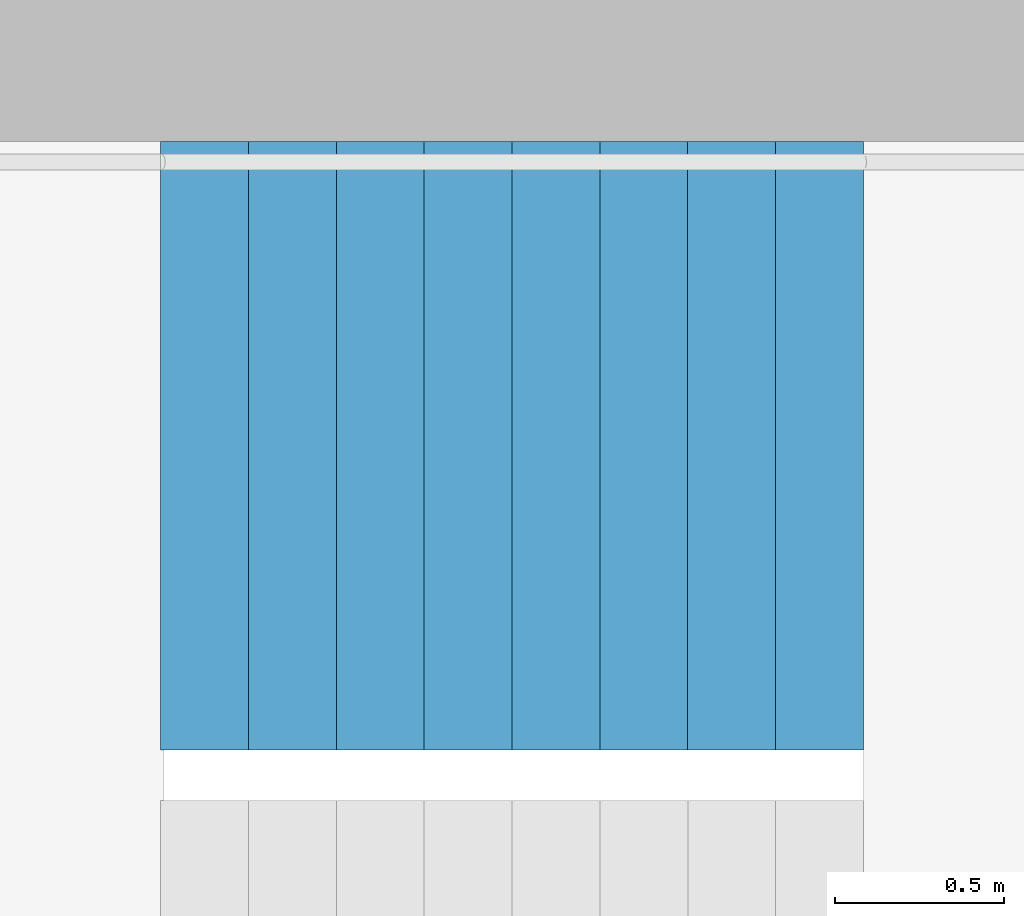
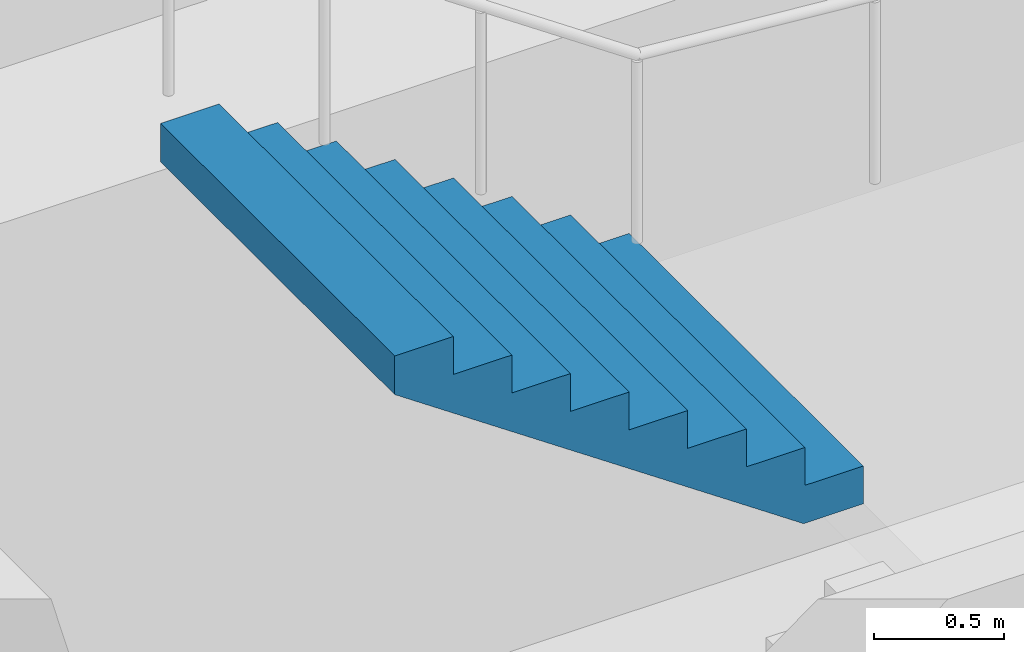
# One storey, part 23 of 28: 1 stair flight, 1 element without a shape of its own.
"""IFC4 building model written with IfcOpenShell, lengths in metres."""

from ifc_helpers import new_model, si_unit, direction, frame, origin, place, context, subcontext, project, spatial, triangles, material, type_object, element, aggregate, save


model = new_model("IFC4")

# Units and contexts
model_context = context("Model", 3, precision=1e-05, world=origin(), true_north=direction((0.0, 1.0)))
body_context = subcontext(model_context, "Body", "Model", "MODEL_VIEW")
ifc_project = project(units=[si_unit("LENGTHUNIT", "METRE"), si_unit("AREAUNIT", "SQUARE_METRE"), si_unit("VOLUMEUNIT", "CUBIC_METRE"), si_unit("PLANEANGLEUNIT", "RADIAN"), si_unit("MASSUNIT", "GRAM", prefix="KILO")], contexts=[model_context])

# Site, building, storey
site_placement = place(None, origin())
site = spatial("IfcSite", under=ifc_project, at=site_placement, CompositionType="ELEMENT")
building_placement = place(site_placement, origin())
building = spatial("IfcBuilding", under=site, at=building_placement, Name="Hakoniwa Tower and Hamabe Station Hall", CompositionType="ELEMENT")
storey_placement = place(building_placement, frame((0.0, 0.0, 35.800048828125)))
storey = spatial("IfcBuildingStorey", under=building, at=storey_placement, Name="L09", CompositionType="ELEMENT", Elevation=35.800048828125)

# Stair, stair flight
ifc_material_1 = material(Name="Concrete C40", Category="concrete")
stair_type = type_object("IfcStairType", Name="ESCAPE STAIR 1800", PredefinedType="HALF_TURN_STAIR", material=ifc_material_1)
stair_placement = place(storey_placement, origin())
stair = element("IfcStair", 1, at=stair_placement, inside=storey, type_object=stair_type, Name="Escape stair ST-1 L09", PredefinedType="HALF_TURN_STAIR")
ifc_material_2 = material(Name="Concrete C40", Category="concrete")
stair_flight_type = type_object("IfcStairFlightType", Name="STAIR FLIGHT 1800", PredefinedType="STRAIGHT", material=ifc_material_2)
stair_flight_placement = place(storey_placement, frame((-22.320068359375, 6.60009765625, 1.599853515625), z_axis=(0.0, 0.0, 1.0), x_axis=(-1.0, 0.0, 0.0)))
stair_flight = element("IfcStairFlight", 2, at=stair_flight_placement, type_object=stair_flight_type, Name="ST-1 flight 2", NumberOfRisers=9, NumberOfTreads=8, PredefinedType="STRAIGHT", RiserHeight=0.177777778, TreadLength=0.26, context=body_context, shape_type="Tessellation", body=[
    triangles([(0.0, 0.89990234375, 0.0), (0.260009765625, 0.89990234375, 0.0), (0.265625, 0.89990234375, 0.0), (0.52001953125, 0.89990234375, 0.174072265625), (0.780029296875, 0.89990234375, 0.351806640625), (1.0400390625, 0.89990234375, 0.529541015625), (1.300048828125, 0.89990234375, 0.707275390625), (1.56005859375, 0.89990234375, 0.885009765625), (1.820068359375, 0.89990234375, 1.062744140625), (2.080078125, 0.89990234375, 1.24072265625), (2.080078125, 0.89990234375, 1.422119140625), (1.820068359375, 0.89990234375, 1.422119140625), (1.820068359375, 0.89990234375, 1.244384765625), (1.56005859375, 0.89990234375, 1.244384765625), (1.56005859375, 0.89990234375, 1.066650390625), (1.300048828125, 0.89990234375, 1.066650390625), (1.300048828125, 0.89990234375, 0.888916015625), (1.0400390625, 0.89990234375, 0.888916015625), (1.0400390625, 0.89990234375, 0.711181640625), (0.780029296875, 0.89990234375, 0.711181640625), (0.780029296875, 0.89990234375, 0.533447265625), (0.52001953125, 0.89990234375, 0.533447265625), (0.52001953125, 0.89990234375, 0.35546875), (0.265625, 0.89990234375, 0.35546875), (0.260009765625, 0.89990234375, 0.35546875), (0.260009765625, 0.89990234375, 0.177734375), (0.0, 0.89990234375, 0.177734375), (0.0, 0.06005859375, 0.0), (0.260009765625, 0.06005859375, 0.0), (0.265625, 0.06005859375, 0.0), (0.52001953125, 0.06005859375, 0.174072265625), (0.780029296875, 0.06005859375, 0.351806640625), (1.0400390625, 0.06005859375, 0.529541015625), (1.300048828125, 0.06005859375, 0.707275390625), (1.56005859375, 0.06005859375, 0.885009765625), (1.820068359375, 0.06005859375, 1.062744140625), (2.080078125, 0.06005859375, 1.24072265625), (2.080078125, 0.06005859375, 1.422119140625), (1.820068359375, 0.06005859375, 1.422119140625), (1.820068359375, 0.06005859375, 1.244384765625), (1.56005859375, 0.06005859375, 1.244384765625), (1.56005859375, 0.06005859375, 1.066650390625), (1.300048828125, 0.06005859375, 1.066650390625), (1.300048828125, 0.06005859375, 0.888916015625), (1.0400390625, 0.06005859375, 0.888916015625), (1.0400390625, 0.06005859375, 0.711181640625), (0.780029296875, 0.06005859375, 0.711181640625), (0.780029296875, 0.06005859375, 0.533447265625), (0.52001953125, 0.06005859375, 0.533447265625), (0.52001953125, 0.06005859375, 0.35546875), (0.265625, 0.06005859375, 0.35546875), (0.260009765625, 0.06005859375, 0.35546875), (0.260009765625, 0.06005859375, 0.177734375), (0.0, 0.06005859375, 0.177734375), (0.0, 0.04296875, 0.0), (0.260009765625, 0.04296875, 0.0), (0.265625, 0.04296875, 0.0), (0.52001953125, 0.04296875, 0.174072265625), (0.780029296875, 0.04296875, 0.351806640625), (1.0400390625, 0.04296875, 0.529541015625), (1.300048828125, 0.04296875, 0.707275390625), (1.56005859375, 0.04296875, 0.885009765625), (1.820068359375, 0.04296875, 1.062744140625), (2.080078125, 0.04296875, 1.24072265625), (2.080078125, 0.04296875, 1.422119140625), (1.820068359375, 0.04296875, 1.422119140625), (1.820068359375, 0.04296875, 1.244384765625), (1.56005859375, 0.04296875, 1.244384765625), (1.56005859375, 0.04296875, 1.066650390625), (1.300048828125, 0.04296875, 1.066650390625), (1.300048828125, 0.04296875, 0.888916015625), (1.0400390625, 0.04296875, 0.888916015625), (1.0400390625, 0.04296875, 0.711181640625), (0.780029296875, 0.04296875, 0.711181640625), (0.780029296875, 0.04296875, 0.533447265625), (0.52001953125, 0.04296875, 0.533447265625), (0.52001953125, 0.04296875, 0.35546875), (0.265625, 0.04296875, 0.35546875), (0.260009765625, 0.04296875, 0.35546875), (0.260009765625, 0.04296875, 0.177734375), (0.0, 0.04296875, 0.177734375), (0.0, 0.025634765625, 0.0), (0.260009765625, 0.025634765625, 0.0), (0.265625, 0.025634765625, 0.0), (0.52001953125, 0.025634765625, 0.174072265625), (0.780029296875, 0.025634765625, 0.351806640625), (1.0400390625, 0.025634765625, 0.529541015625), (1.300048828125, 0.025634765625, 0.707275390625), (1.56005859375, 0.025634765625, 0.885009765625), (1.820068359375, 0.025634765625, 1.062744140625), (2.080078125, 0.025634765625, 1.24072265625), (2.080078125, 0.025634765625, 1.422119140625), (1.820068359375, 0.025634765625, 1.422119140625), (1.820068359375, 0.025634765625, 1.244384765625), (1.56005859375, 0.025634765625, 1.244384765625), (1.56005859375, 0.025634765625, 1.066650390625), (1.300048828125, 0.025634765625, 1.066650390625), (1.300048828125, 0.025634765625, 0.888916015625), (1.0400390625, 0.025634765625, 0.888916015625), (1.0400390625, 0.025634765625, 0.711181640625), (0.780029296875, 0.025634765625, 0.711181640625), (0.780029296875, 0.025634765625, 0.533447265625), (0.52001953125, 0.025634765625, 0.533447265625), (0.52001953125, 0.025634765625, 0.35546875), (0.265625, 0.025634765625, 0.35546875), (0.260009765625, 0.025634765625, 0.35546875), (0.260009765625, 0.025634765625, 0.177734375), (0.0, 0.025634765625, 0.177734375), (0.0, 0.008544921875, 0.0), (0.260009765625, 0.008544921875, 0.0), (0.265625, 0.008544921875, 0.0), (0.52001953125, 0.008544921875, 0.174072265625), (0.780029296875, 0.008544921875, 0.351806640625), (1.0400390625, 0.008544921875, 0.529541015625), (1.300048828125, 0.008544921875, 0.707275390625), (1.56005859375, 0.008544921875, 0.885009765625), (1.820068359375, 0.008544921875, 1.062744140625), (2.080078125, 0.008544921875, 1.24072265625), (2.080078125, 0.008544921875, 1.422119140625), (1.820068359375, 0.008544921875, 1.422119140625), (1.820068359375, 0.008544921875, 1.244384765625), (1.56005859375, 0.008544921875, 1.244384765625), (1.56005859375, 0.008544921875, 1.066650390625), (1.300048828125, 0.008544921875, 1.066650390625), (1.300048828125, 0.008544921875, 0.888916015625), (1.0400390625, 0.008544921875, 0.888916015625), (1.0400390625, 0.008544921875, 0.711181640625), (0.780029296875, 0.008544921875, 0.711181640625), (0.780029296875, 0.008544921875, 0.533447265625), (0.52001953125, 0.008544921875, 0.533447265625), (0.52001953125, 0.008544921875, 0.35546875), (0.265625, 0.008544921875, 0.35546875), (0.260009765625, 0.008544921875, 0.35546875), (0.260009765625, 0.008544921875, 0.177734375), (0.0, 0.008544921875, 0.177734375), (0.0, -0.008544921875, 0.0), (0.260009765625, -0.008544921875, 0.0), (0.265625, -0.008544921875, 0.0), (0.52001953125, -0.008544921875, 0.174072265625), (0.780029296875, -0.008544921875, 0.351806640625), (1.0400390625, -0.008544921875, 0.529541015625), (1.300048828125, -0.008544921875, 0.707275390625), (1.56005859375, -0.008544921875, 0.885009765625), (1.820068359375, -0.008544921875, 1.062744140625), (2.080078125, -0.008544921875, 1.24072265625), (2.080078125, -0.008544921875, 1.422119140625), (1.820068359375, -0.008544921875, 1.422119140625), (1.820068359375, -0.008544921875, 1.244384765625), (1.56005859375, -0.008544921875, 1.244384765625), (1.56005859375, -0.008544921875, 1.066650390625), (1.300048828125, -0.008544921875, 1.066650390625), (1.300048828125, -0.008544921875, 0.888916015625), (1.0400390625, -0.008544921875, 0.888916015625), (1.0400390625, -0.008544921875, 0.711181640625), (0.780029296875, -0.008544921875, 0.711181640625), (0.780029296875, -0.008544921875, 0.533447265625), (0.52001953125, -0.008544921875, 0.533447265625), (0.52001953125, -0.008544921875, 0.35546875), (0.265625, -0.008544921875, 0.35546875), (0.260009765625, -0.008544921875, 0.35546875), (0.260009765625, -0.008544921875, 0.177734375), (0.0, -0.008544921875, 0.177734375), (0.0, -0.025634765625, 0.0), (0.260009765625, -0.025634765625, 0.0), (0.265625, -0.025634765625, 0.0), (0.52001953125, -0.025634765625, 0.174072265625), (0.780029296875, -0.025634765625, 0.351806640625), (1.0400390625, -0.025634765625, 0.529541015625), (1.300048828125, -0.025634765625, 0.707275390625), (1.56005859375, -0.025634765625, 0.885009765625), (1.820068359375, -0.025634765625, 1.062744140625), (2.080078125, -0.025634765625, 1.24072265625), (2.080078125, -0.025634765625, 1.422119140625), (1.820068359375, -0.025634765625, 1.422119140625), (1.820068359375, -0.025634765625, 1.244384765625), (1.56005859375, -0.025634765625, 1.244384765625), (1.56005859375, -0.025634765625, 1.066650390625), (1.300048828125, -0.025634765625, 1.066650390625), (1.300048828125, -0.025634765625, 0.888916015625), (1.0400390625, -0.025634765625, 0.888916015625), (1.0400390625, -0.025634765625, 0.711181640625), (0.780029296875, -0.025634765625, 0.711181640625), (0.780029296875, -0.025634765625, 0.533447265625), (0.52001953125, -0.025634765625, 0.533447265625), (0.52001953125, -0.025634765625, 0.35546875), (0.265625, -0.025634765625, 0.35546875), (0.260009765625, -0.025634765625, 0.35546875), (0.260009765625, -0.025634765625, 0.177734375), (0.0, -0.025634765625, 0.177734375), (0.0, -0.04296875, 0.0), (0.260009765625, -0.04296875, 0.0), (0.265625, -0.04296875, 0.0), (0.52001953125, -0.04296875, 0.174072265625), (0.780029296875, -0.04296875, 0.351806640625), (1.0400390625, -0.04296875, 0.529541015625), (1.300048828125, -0.04296875, 0.707275390625), (1.56005859375, -0.04296875, 0.885009765625), (1.820068359375, -0.04296875, 1.062744140625), (2.080078125, -0.04296875, 1.24072265625), (2.080078125, -0.04296875, 1.422119140625), (1.820068359375, -0.04296875, 1.422119140625), (1.820068359375, -0.04296875, 1.244384765625), (1.56005859375, -0.04296875, 1.244384765625), (1.56005859375, -0.04296875, 1.066650390625), (1.300048828125, -0.04296875, 1.066650390625), (1.300048828125, -0.04296875, 0.888916015625), (1.0400390625, -0.04296875, 0.888916015625), (1.0400390625, -0.04296875, 0.711181640625), (0.780029296875, -0.04296875, 0.711181640625), (0.780029296875, -0.04296875, 0.533447265625), (0.52001953125, -0.04296875, 0.533447265625), (0.52001953125, -0.04296875, 0.35546875), (0.265625, -0.04296875, 0.35546875), (0.260009765625, -0.04296875, 0.35546875), (0.260009765625, -0.04296875, 0.177734375), (0.0, -0.04296875, 0.177734375), (0.0, -0.06005859375, 0.0), (0.260009765625, -0.06005859375, 0.0), (0.265625, -0.06005859375, 0.0), (0.52001953125, -0.06005859375, 0.174072265625), (0.780029296875, -0.06005859375, 0.351806640625), (1.0400390625, -0.06005859375, 0.529541015625), (1.300048828125, -0.06005859375, 0.707275390625), (1.56005859375, -0.06005859375, 0.885009765625), (1.820068359375, -0.06005859375, 1.062744140625), (2.080078125, -0.06005859375, 1.24072265625), (2.080078125, -0.06005859375, 1.422119140625), (1.820068359375, -0.06005859375, 1.422119140625), (1.820068359375, -0.06005859375, 1.244384765625), (1.56005859375, -0.06005859375, 1.244384765625), (1.56005859375, -0.06005859375, 1.066650390625), (1.300048828125, -0.06005859375, 1.066650390625), (1.300048828125, -0.06005859375, 0.888916015625), (1.0400390625, -0.06005859375, 0.888916015625), (1.0400390625, -0.06005859375, 0.711181640625), (0.780029296875, -0.06005859375, 0.711181640625), (0.780029296875, -0.06005859375, 0.533447265625), (0.52001953125, -0.06005859375, 0.533447265625), (0.52001953125, -0.06005859375, 0.35546875), (0.265625, -0.06005859375, 0.35546875), (0.260009765625, -0.06005859375, 0.35546875), (0.260009765625, -0.06005859375, 0.177734375), (0.0, -0.06005859375, 0.177734375), (0.0, -0.89990234375, 0.0), (0.260009765625, -0.89990234375, 0.0), (0.265625, -0.89990234375, 0.0), (0.52001953125, -0.89990234375, 0.174072265625), (0.780029296875, -0.89990234375, 0.351806640625), (1.0400390625, -0.89990234375, 0.529541015625), (1.300048828125, -0.89990234375, 0.707275390625), (1.56005859375, -0.89990234375, 0.885009765625), (1.820068359375, -0.89990234375, 1.062744140625), (2.080078125, -0.89990234375, 1.24072265625), (2.080078125, -0.89990234375, 1.422119140625), (1.820068359375, -0.89990234375, 1.422119140625), (1.820068359375, -0.89990234375, 1.244384765625), (1.56005859375, -0.89990234375, 1.244384765625), (1.56005859375, -0.89990234375, 1.066650390625), (1.300048828125, -0.89990234375, 1.066650390625), (1.300048828125, -0.89990234375, 0.888916015625), (1.0400390625, -0.89990234375, 0.888916015625), (1.0400390625, -0.89990234375, 0.711181640625), (0.780029296875, -0.89990234375, 0.711181640625), (0.780029296875, -0.89990234375, 0.533447265625), (0.52001953125, -0.89990234375, 0.533447265625), (0.52001953125, -0.89990234375, 0.35546875), (0.265625, -0.89990234375, 0.35546875), (0.260009765625, -0.89990234375, 0.35546875), (0.260009765625, -0.89990234375, 0.177734375), (0.0, -0.89990234375, 0.177734375)], [[2, 27, 26], [245, 269, 270], [2, 1, 27], [245, 270, 244], [3, 25, 24], [246, 267, 268], [3, 26, 25], [246, 268, 269], [3, 2, 26], [246, 269, 245], [4, 24, 23], [247, 266, 267], [4, 3, 24], [247, 267, 246], [5, 22, 21], [248, 264, 265], [5, 23, 22], [248, 265, 266], [5, 4, 23], [248, 266, 247], [6, 20, 19], [249, 262, 263], [6, 21, 20], [249, 263, 264], [6, 5, 21], [249, 264, 248], [7, 18, 17], [250, 260, 261], [7, 19, 18], [250, 261, 262], [7, 6, 19], [250, 262, 249], [8, 16, 15], [251, 258, 259], [8, 17, 16], [251, 259, 260], [8, 7, 17], [251, 260, 250], [9, 14, 13], [252, 256, 257], [9, 15, 14], [252, 257, 258], [9, 8, 15], [252, 258, 251], [10, 12, 11], [253, 254, 255], [10, 13, 12], [253, 255, 256], [10, 9, 13], [253, 256, 252], [1, 2, 29], [1, 29, 28], [28, 29, 56], [28, 56, 55], [55, 56, 83], [55, 83, 82], [82, 83, 110], [82, 110, 109], [109, 110, 137], [109, 137, 136], [136, 137, 164], [136, 164, 163], [163, 164, 191], [163, 191, 190], [190, 191, 218], [190, 218, 217], [217, 218, 245], [217, 245, 244], [2, 3, 30], [2, 30, 29], [29, 30, 57], [29, 57, 56], [56, 57, 84], [56, 84, 83], [83, 84, 111], [83, 111, 110], [110, 111, 138], [110, 138, 137], [137, 138, 165], [137, 165, 164], [164, 165, 192], [164, 192, 191], [191, 192, 219], [191, 219, 218], [218, 219, 246], [218, 246, 245], [3, 4, 31], [3, 31, 30], [30, 31, 58], [30, 58, 57], [57, 58, 85], [57, 85, 84], [84, 85, 112], [84, 112, 111], [111, 112, 139], [111, 139, 138], [138, 139, 166], [138, 166, 165], [165, 166, 193], [165, 193, 192], [192, 193, 220], [192, 220, 219], [219, 220, 247], [219, 247, 246], [4, 5, 32], [4, 32, 31], [31, 32, 59], [31, 59, 58], [58, 59, 86], [58, 86, 85], [85, 86, 113], [85, 113, 112], [112, 113, 140], [112, 140, 139], [139, 140, 167], [139, 167, 166], [166, 167, 194], [166, 194, 193], [193, 194, 221], [193, 221, 220], [220, 221, 248], [220, 248, 247], [5, 6, 33], [5, 33, 32], [32, 33, 60], [32, 60, 59], [59, 60, 87], [59, 87, 86], [86, 87, 114], [86, 114, 113], [113, 114, 141], [113, 141, 140], [140, 141, 168], [140, 168, 167], [167, 168, 195], [167, 195, 194], [194, 195, 222], [194, 222, 221], [221, 222, 249], [221, 249, 248], [6, 7, 34], [6, 34, 33], [33, 34, 61], [33, 61, 60], [60, 61, 88], [60, 88, 87], [87, 88, 115], [87, 115, 114], [114, 115, 142], [114, 142, 141], [141, 142, 169], [141, 169, 168], [168, 169, 196], [168, 196, 195], [195, 196, 223], [195, 223, 222], [222, 223, 250], [222, 250, 249], [7, 8, 35], [7, 35, 34], [34, 35, 62], [34, 62, 61], [61, 62, 89], [61, 89, 88], [88, 89, 116], [88, 116, 115], [115, 116, 143], [115, 143, 142], [142, 143, 170], [142, 170, 169], [169, 170, 197], [169, 197, 196], [196, 197, 224], [196, 224, 223], [223, 224, 251], [223, 251, 250], [8, 9, 36], [8, 36, 35], [35, 36, 63], [35, 63, 62], [62, 63, 90], [62, 90, 89], [89, 90, 117], [89, 117, 116], [116, 117, 144], [116, 144, 143], [143, 144, 171], [143, 171, 170], [170, 171, 198], [170, 198, 197], [197, 198, 225], [197, 225, 224], [224, 225, 252], [224, 252, 251], [9, 10, 37], [9, 37, 36], [36, 37, 64], [36, 64, 63], [63, 64, 91], [63, 91, 90], [90, 91, 118], [90, 118, 117], [117, 118, 145], [117, 145, 144], [144, 145, 172], [144, 172, 171], [171, 172, 199], [171, 199, 198], [198, 199, 226], [198, 226, 225], [225, 226, 253], [225, 253, 252], [10, 11, 38], [10, 38, 37], [37, 38, 65], [37, 65, 64], [64, 65, 92], [64, 92, 91], [91, 92, 119], [91, 119, 118], [118, 119, 146], [118, 146, 145], [145, 146, 173], [145, 173, 172], [172, 173, 200], [172, 200, 199], [199, 200, 227], [199, 227, 226], [226, 227, 254], [226, 254, 253], [11, 12, 39], [11, 39, 38], [38, 39, 66], [38, 66, 65], [65, 66, 93], [65, 93, 92], [92, 93, 120], [92, 120, 119], [119, 120, 147], [119, 147, 146], [146, 147, 174], [146, 174, 173], [173, 174, 201], [173, 201, 200], [200, 201, 228], [200, 228, 227], [227, 228, 255], [227, 255, 254], [12, 13, 40], [12, 40, 39], [39, 40, 67], [39, 67, 66], [66, 67, 94], [66, 94, 93], [93, 94, 121], [93, 121, 120], [120, 121, 148], [120, 148, 147], [147, 148, 175], [147, 175, 174], [174, 175, 202], [174, 202, 201], [201, 202, 229], [201, 229, 228], [228, 229, 256], [228, 256, 255], [13, 14, 41], [13, 41, 40], [40, 41, 68], [40, 68, 67], [67, 68, 95], [67, 95, 94], [94, 95, 122], [94, 122, 121], [121, 122, 149], [121, 149, 148], [148, 149, 176], [148, 176, 175], [175, 176, 203], [175, 203, 202], [202, 203, 230], [202, 230, 229], [229, 230, 257], [229, 257, 256], [14, 15, 42], [14, 42, 41], [41, 42, 69], [41, 69, 68], [68, 69, 96], [68, 96, 95], [95, 96, 123], [95, 123, 122], [122, 123, 150], [122, 150, 149], [149, 150, 177], [149, 177, 176], [176, 177, 204], [176, 204, 203], [203, 204, 231], [203, 231, 230], [230, 231, 258], [230, 258, 257], [15, 16, 43], [15, 43, 42], [42, 43, 70], [42, 70, 69], [69, 70, 97], [69, 97, 96], [96, 97, 124], [96, 124, 123], [123, 124, 151], [123, 151, 150], [150, 151, 178], [150, 178, 177], [177, 178, 205], [177, 205, 204], [204, 205, 232], [204, 232, 231], [231, 232, 259], [231, 259, 258], [16, 17, 44], [16, 44, 43], [43, 44, 71], [43, 71, 70], [70, 71, 98], [70, 98, 97], [97, 98, 125], [97, 125, 124], [124, 125, 152], [124, 152, 151], [151, 152, 179], [151, 179, 178], [178, 179, 206], [178, 206, 205], [205, 206, 233], [205, 233, 232], [232, 233, 260], [232, 260, 259], [17, 18, 45], [17, 45, 44], [44, 45, 72], [44, 72, 71], [71, 72, 99], [71, 99, 98], [98, 99, 126], [98, 126, 125], [125, 126, 153], [125, 153, 152], [152, 153, 180], [152, 180, 179], [179, 180, 207], [179, 207, 206], [206, 207, 234], [206, 234, 233], [233, 234, 261], [233, 261, 260], [18, 19, 46], [18, 46, 45], [45, 46, 73], [45, 73, 72], [72, 73, 100], [72, 100, 99], [99, 100, 127], [99, 127, 126], [126, 127, 154], [126, 154, 153], [153, 154, 181], [153, 181, 180], [180, 181, 208], [180, 208, 207], [207, 208, 235], [207, 235, 234], [234, 235, 262], [234, 262, 261], [19, 20, 47], [19, 47, 46], [46, 47, 74], [46, 74, 73], [73, 74, 101], [73, 101, 100], [100, 101, 128], [100, 128, 127], [127, 128, 155], [127, 155, 154], [154, 155, 182], [154, 182, 181], [181, 182, 209], [181, 209, 208], [208, 209, 236], [208, 236, 235], [235, 236, 263], [235, 263, 262], [20, 21, 48], [20, 48, 47], [47, 48, 75], [47, 75, 74], [74, 75, 102], [74, 102, 101], [101, 102, 129], [101, 129, 128], [128, 129, 156], [128, 156, 155], [155, 156, 183], [155, 183, 182], [182, 183, 210], [182, 210, 209], [209, 210, 237], [209, 237, 236], [236, 237, 264], [236, 264, 263], [21, 22, 49], [21, 49, 48], [48, 49, 76], [48, 76, 75], [75, 76, 103], [75, 103, 102], [102, 103, 130], [102, 130, 129], [129, 130, 157], [129, 157, 156], [156, 157, 184], [156, 184, 183], [183, 184, 211], [183, 211, 210], [210, 211, 238], [210, 238, 237], [237, 238, 265], [237, 265, 264], [22, 23, 50], [22, 50, 49], [49, 50, 77], [49, 77, 76], [76, 77, 104], [76, 104, 103], [103, 104, 131], [103, 131, 130], [130, 131, 158], [130, 158, 157], [157, 158, 185], [157, 185, 184], [184, 185, 212], [184, 212, 211], [211, 212, 239], [211, 239, 238], [238, 239, 266], [238, 266, 265], [23, 24, 51], [23, 51, 50], [50, 51, 78], [50, 78, 77], [77, 78, 105], [77, 105, 104], [104, 105, 132], [104, 132, 131], [131, 132, 159], [131, 159, 158], [158, 159, 186], [158, 186, 185], [185, 186, 213], [185, 213, 212], [212, 213, 240], [212, 240, 239], [239, 240, 267], [239, 267, 266], [24, 25, 52], [24, 52, 51], [51, 52, 79], [51, 79, 78], [78, 79, 106], [78, 106, 105], [105, 106, 133], [105, 133, 132], [132, 133, 160], [132, 160, 159], [159, 160, 187], [159, 187, 186], [186, 187, 214], [186, 214, 213], [213, 214, 241], [213, 241, 240], [240, 241, 268], [240, 268, 267], [25, 26, 53], [25, 53, 52], [52, 53, 80], [52, 80, 79], [79, 80, 107], [79, 107, 106], [106, 107, 134], [106, 134, 133], [133, 134, 161], [133, 161, 160], [160, 161, 188], [160, 188, 187], [187, 188, 215], [187, 215, 214], [214, 215, 242], [214, 242, 241], [241, 242, 269], [241, 269, 268], [26, 27, 54], [26, 54, 53], [53, 54, 81], [53, 81, 80], [80, 81, 108], [80, 108, 107], [107, 108, 135], [107, 135, 134], [134, 135, 162], [134, 162, 161], [161, 162, 189], [161, 189, 188], [188, 189, 216], [188, 216, 215], [215, 216, 243], [215, 243, 242], [242, 243, 270], [242, 270, 269], [27, 1, 28], [27, 28, 54], [54, 28, 55], [54, 55, 81], [81, 55, 82], [81, 82, 108], [108, 82, 109], [108, 109, 135], [135, 109, 136], [135, 136, 162], [162, 136, 163], [162, 163, 189], [189, 163, 190], [189, 190, 216], [216, 190, 217], [216, 217, 243], [243, 217, 244], [243, 244, 270]], closed=True),
])
aggregate(stair, [stair_flight])

save(model, "model.ifc")
